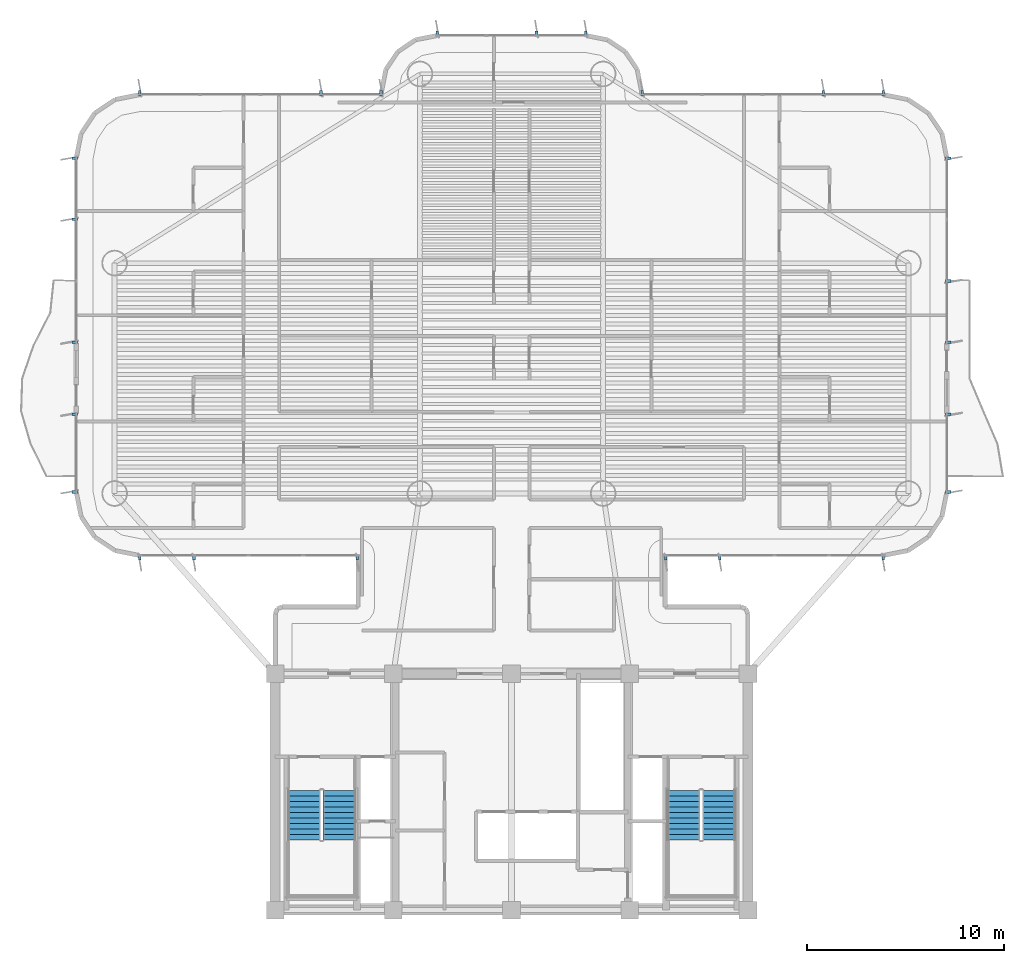
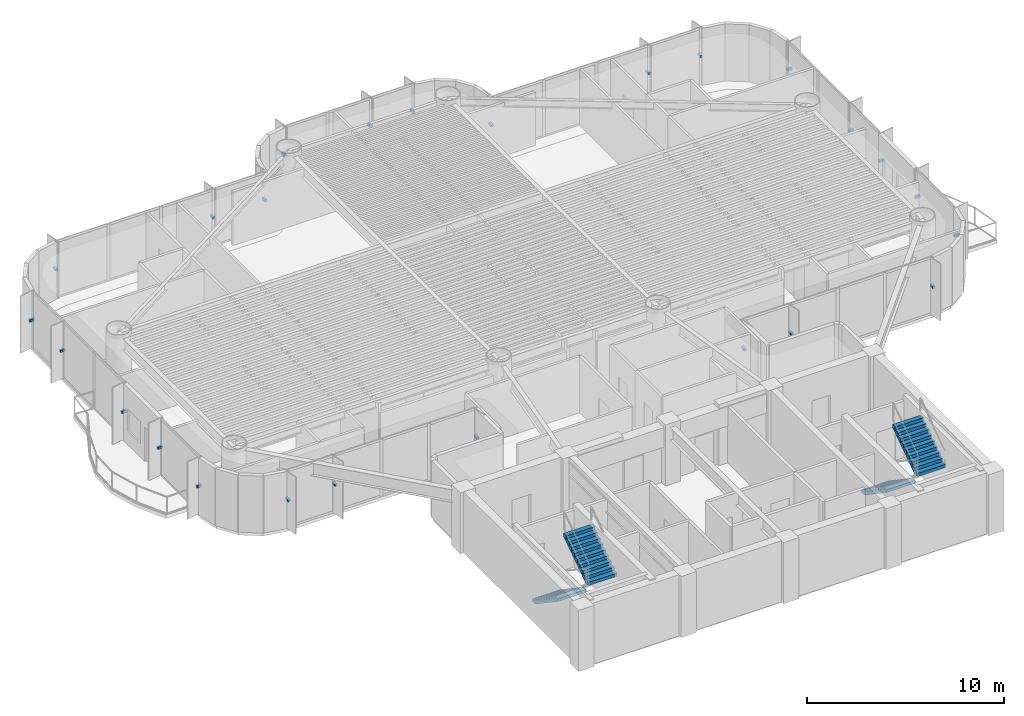
# One storey, part 13 of 17: 25 discrete accessories, 4 stair flights, 2 elements without a shape of their own.
"""IFC4 building model written with IfcOpenShell, lengths in metres."""

from ifc_helpers import new_model, si_unit, direction, frame, origin, origin_2d, place, context, subcontext, project, spatial, polyline, rectangle, outline, extrude, source, transform, mapped, material, type_object, element, aggregate, save


model = new_model("IFC4")

# Units and contexts
model_context = context("Model", 3, precision=1e-05, world=origin(), true_north=direction((0.0, 1.0)))
body_context = subcontext(model_context, "Body", "Model", "MODEL_VIEW")
ifc_project = project(units=[si_unit("LENGTHUNIT", "METRE"), si_unit("AREAUNIT", "SQUARE_METRE"), si_unit("VOLUMEUNIT", "CUBIC_METRE"), si_unit("PLANEANGLEUNIT", "RADIAN"), si_unit("MASSUNIT", "GRAM", prefix="KILO")], contexts=[model_context])

# Site, building, storey
site_placement = place(None, origin())
site = spatial("IfcSite", under=ifc_project, at=site_placement, CompositionType="ELEMENT")
building_placement = place(site_placement, origin())
building = spatial("IfcBuilding", under=site, at=building_placement, Name="Brelvock Crest Care Tower", CompositionType="ELEMENT")
storey_placement = place(building_placement, frame((0.0, 0.0, 131.39990234375)))
storey = spatial("IfcBuildingStorey", under=building, at=storey_placement, Name="L33", CompositionType="ELEMENT", Elevation=131.39990234375)

# Stair, stair flights
ifc_material_1 = material(Name="Concrete N40 (40 MPa)", Category="concrete")
stair_type = type_object("IfcStairType", Name="ST-CORE1", PredefinedType="HALF_TURN_STAIR", material=ifc_material_1)
stair_1_placement = place(storey_placement, origin())
stair_1 = element("IfcStair", 1, at=stair_1_placement, inside=storey, type_object=stair_type, Name="L33 Fire-Isolated Core Stair ST-1", PredefinedType="HALF_TURN_STAIR")
stair_flight_type = type_object("IfcStairFlightType", Name="STF-1", PredefinedType="STRAIGHT", material=ifc_material_1)
stair_flight_1_placement = place(storey_placement, frame((25.469970703125, 12.080078125, 0.0), z_axis=(0.0, 0.0, 1.0), x_axis=(0.0, -1.0, 0.0)))
stair_flight_1 = element("IfcStairFlight", 2, at=stair_flight_1_placement, type_object=stair_flight_type, Name="ST-1 flight 1", NumberOfRisers=10, NumberOfTreads=9, PredefinedType="STRAIGHT", RiserHeight=0.189, TreadLength=0.28, context=body_context, shape_type="SweptSolid", body=[
    extrude(outline(polyline([(-0.00390625, -0.014892578125), (-0.00390625, -0.0078125), (-0.00390625, -0.00048828125), (-0.00390625, 0.0068359375), (-0.00390625, 0.01416015625), (-0.00390625, 0.021484375), (-0.00390625, 0.02880859375), (-0.00390625, 0.035888671875), (-0.00390625, 0.043212890625), (-0.00390625, 0.050537109375), (-0.00390625, 0.057861328125), (-0.00390625, 0.065185546875), (-0.00390625, 0.072509765625), (-0.00390625, 0.07958984375), (-0.00390625, 0.0869140625), (-0.00390625, 0.09423828125), (-0.00390625, 0.1015625), (-0.00390625, 0.10888671875), (-0.00390625, 0.1162109375), (-0.00390625, 0.12353515625), (-0.00390625, 0.130615234375), (-0.00390625, 0.137939453125), (-0.00390625, 0.145263671875), (-0.00390625, 0.152587890625), (-0.00390625, 0.159912109375), (-0.00390625, 0.167236328125), (-0.00390625, 0.17431640625), (-0.00390625, 0.181640625), (-0.00390625, 0.18896484375), (0.0, 0.18896484375), (0.280029296875, 0.18896484375), (0.280029296875, 0.3779296875), (0.56005859375, 0.3779296875), (0.56005859375, 0.56689453125), (0.840087890625, 0.56689453125), (0.840087890625, 0.756103515625), (1.1201171875, 0.756103515625), (1.1201171875, 0.945068359375), (1.39990234375, 0.945068359375), (1.39990234375, 1.134033203125), (1.679931640625, 1.134033203125), (1.679931640625, 1.322998046875), (1.9599609375, 1.322998046875), (1.9599609375, 1.511962890625), (2.239990234375, 1.511962890625), (2.239990234375, 1.700927734375), (2.52001953125, 1.700927734375), (2.52392578125, 1.700927734375), (2.523681640625, 1.70068359375), (2.52392578125, 1.700439453125), (2.523681640625, 1.699951171875), (2.52392578125, 1.69970703125), (2.523681640625, 1.699462890625), (2.52392578125, 1.698974609375), (2.523681640625, 1.69873046875), (2.52392578125, 1.698486328125), (2.523681640625, 1.697998046875), (2.52392578125, 1.69775390625), (2.523681640625, 1.697509765625), (2.52392578125, 1.697021484375), (2.523681640625, 1.69677734375), (2.52392578125, 1.696533203125), (2.523681640625, 1.6962890625), (2.52392578125, 1.69580078125), (2.523681640625, 1.695556640625), (2.52392578125, 1.6953125), (2.523681640625, 1.69482421875), (2.52392578125, 1.694580078125), (2.523681640625, 1.6943359375), (2.52392578125, 1.69384765625), (2.523681640625, 1.693603515625), (2.52392578125, 1.693359375), (2.523681640625, 1.69287109375), (2.52392578125, 1.692626953125), (2.523681640625, 1.6923828125), (2.52392578125, 1.69189453125), (2.52001953125, 1.520263671875), (0.267822265625, 0.0), (0.0, 0.0), (0.0, -0.014892578125), (-0.00390625, -0.014892578125)])), frame((0.0, 0.83984375, 0.0), z_axis=(0.0, -1.0, 0.0), x_axis=(1.0, 0.0, 0.0)), (0.0, 0.0, 1.0), 1.679931640625),
])
stair_flight_2_placement = place(storey_placement, frame((27.27001953125, 9.56005859375, 1.89013671875), z_axis=(0.0, 0.0, 1.0), x_axis=(0.0, 1.0, 0.0)))
stair_flight_2 = element("IfcStairFlight", 3, at=stair_flight_2_placement, type_object=stair_flight_type, Name="ST-1 flight 2", NumberOfRisers=10, NumberOfTreads=9, PredefinedType="STRAIGHT", RiserHeight=0.189, TreadLength=0.28, context=body_context, shape_type="SweptSolid", body=[
    extrude(outline(polyline([(-0.00390625, -0.014892578125), (-0.00390625, -0.0078125), (-0.00390625, -0.00048828125), (-0.00390625, 0.0068359375), (-0.00390625, 0.01416015625), (-0.00390625, 0.021484375), (-0.00390625, 0.02880859375), (-0.00390625, 0.035888671875), (-0.00390625, 0.043212890625), (-0.00390625, 0.050537109375), (-0.00390625, 0.057861328125), (-0.00390625, 0.065185546875), (-0.00390625, 0.072509765625), (-0.00390625, 0.07958984375), (-0.00390625, 0.0869140625), (-0.00390625, 0.09423828125), (-0.00390625, 0.1015625), (-0.00390625, 0.10888671875), (-0.00390625, 0.1162109375), (-0.00390625, 0.12353515625), (-0.00390625, 0.130615234375), (-0.00390625, 0.137939453125), (-0.00390625, 0.145263671875), (-0.00390625, 0.152587890625), (-0.00390625, 0.159912109375), (-0.00390625, 0.167236328125), (-0.00390625, 0.17431640625), (-0.00390625, 0.181640625), (-0.00390625, 0.18896484375), (0.0, 0.18896484375), (0.280029296875, 0.18896484375), (0.280029296875, 0.3779296875), (0.56005859375, 0.3779296875), (0.56005859375, 0.56689453125), (0.840087890625, 0.56689453125), (0.840087890625, 0.756103515625), (1.1201171875, 0.756103515625), (1.1201171875, 0.945068359375), (1.39990234375, 0.945068359375), (1.39990234375, 1.134033203125), (1.679931640625, 1.134033203125), (1.679931640625, 1.322998046875), (1.9599609375, 1.322998046875), (1.9599609375, 1.511962890625), (2.239990234375, 1.511962890625), (2.239990234375, 1.700927734375), (2.52001953125, 1.700927734375), (2.52392578125, 1.700927734375), (2.523681640625, 1.70068359375), (2.52392578125, 1.700439453125), (2.523681640625, 1.699951171875), (2.52392578125, 1.69970703125), (2.523681640625, 1.699462890625), (2.52392578125, 1.698974609375), (2.523681640625, 1.69873046875), (2.52392578125, 1.698486328125), (2.523681640625, 1.697998046875), (2.52392578125, 1.69775390625), (2.523681640625, 1.697509765625), (2.52392578125, 1.697021484375), (2.523681640625, 1.69677734375), (2.52392578125, 1.696533203125), (2.523681640625, 1.6962890625), (2.52392578125, 1.69580078125), (2.523681640625, 1.695556640625), (2.52392578125, 1.6953125), (2.523681640625, 1.69482421875), (2.52392578125, 1.694580078125), (2.523681640625, 1.6943359375), (2.52392578125, 1.69384765625), (2.523681640625, 1.693603515625), (2.52392578125, 1.693359375), (2.523681640625, 1.69287109375), (2.52392578125, 1.692626953125), (2.523681640625, 1.6923828125), (2.52392578125, 1.69189453125), (2.52001953125, 1.520263671875), (0.267822265625, 0.0), (0.0, 0.0), (0.0, -0.014892578125), (-0.00390625, -0.014892578125)])), frame((0.0, 0.83984375, 0.0), z_axis=(0.0, -1.0, 0.0), x_axis=(1.0, 0.0, 0.0)), (0.0, 0.0, 1.0), 1.679931640625),
])
aggregate(stair_1, [stair_flight_1, stair_flight_2])

stair_2_placement = place(storey_placement, origin())
stair_2 = element("IfcStair", 4, at=stair_2_placement, inside=storey, type_object=stair_type, Name="L33 Fire-Isolated Core Stair ST-2", PredefinedType="HALF_TURN_STAIR")
stair_flight_3_placement = place(storey_placement, frame((44.72998046875, 12.080078125, 0.0), z_axis=(0.0, 0.0, 1.0), x_axis=(0.0, -1.0, 0.0)))
stair_flight_3 = element("IfcStairFlight", 5, at=stair_flight_3_placement, type_object=stair_flight_type, Name="ST-2 flight 1", NumberOfRisers=10, NumberOfTreads=9, PredefinedType="STRAIGHT", RiserHeight=0.189, TreadLength=0.28, context=body_context, shape_type="SweptSolid", body=[
    extrude(outline(polyline([(-0.00390625, -0.014892578125), (-0.00390625, -0.0078125), (-0.00390625, -0.00048828125), (-0.00390625, 0.0068359375), (-0.00390625, 0.01416015625), (-0.00390625, 0.021484375), (-0.00390625, 0.02880859375), (-0.00390625, 0.035888671875), (-0.00390625, 0.043212890625), (-0.00390625, 0.050537109375), (-0.00390625, 0.057861328125), (-0.00390625, 0.065185546875), (-0.00390625, 0.072509765625), (-0.00390625, 0.07958984375), (-0.00390625, 0.0869140625), (-0.00390625, 0.09423828125), (-0.00390625, 0.1015625), (-0.00390625, 0.10888671875), (-0.00390625, 0.1162109375), (-0.00390625, 0.12353515625), (-0.00390625, 0.130615234375), (-0.00390625, 0.137939453125), (-0.00390625, 0.145263671875), (-0.00390625, 0.152587890625), (-0.00390625, 0.159912109375), (-0.00390625, 0.167236328125), (-0.00390625, 0.17431640625), (-0.00390625, 0.181640625), (-0.00390625, 0.18896484375), (0.0, 0.18896484375), (0.280029296875, 0.18896484375), (0.280029296875, 0.3779296875), (0.56005859375, 0.3779296875), (0.56005859375, 0.56689453125), (0.840087890625, 0.56689453125), (0.840087890625, 0.756103515625), (1.1201171875, 0.756103515625), (1.1201171875, 0.945068359375), (1.39990234375, 0.945068359375), (1.39990234375, 1.134033203125), (1.679931640625, 1.134033203125), (1.679931640625, 1.322998046875), (1.9599609375, 1.322998046875), (1.9599609375, 1.511962890625), (2.239990234375, 1.511962890625), (2.239990234375, 1.700927734375), (2.52001953125, 1.700927734375), (2.52392578125, 1.700927734375), (2.523681640625, 1.70068359375), (2.52392578125, 1.700439453125), (2.523681640625, 1.699951171875), (2.52392578125, 1.69970703125), (2.523681640625, 1.699462890625), (2.52392578125, 1.698974609375), (2.523681640625, 1.69873046875), (2.52392578125, 1.698486328125), (2.523681640625, 1.697998046875), (2.52392578125, 1.69775390625), (2.523681640625, 1.697509765625), (2.52392578125, 1.697021484375), (2.523681640625, 1.69677734375), (2.52392578125, 1.696533203125), (2.523681640625, 1.6962890625), (2.52392578125, 1.69580078125), (2.523681640625, 1.695556640625), (2.52392578125, 1.6953125), (2.523681640625, 1.69482421875), (2.52392578125, 1.694580078125), (2.523681640625, 1.6943359375), (2.52392578125, 1.69384765625), (2.523681640625, 1.693603515625), (2.52392578125, 1.693359375), (2.523681640625, 1.69287109375), (2.52392578125, 1.692626953125), (2.523681640625, 1.6923828125), (2.52392578125, 1.69189453125), (2.52001953125, 1.520263671875), (0.267822265625, 0.0), (0.0, 0.0), (0.0, -0.014892578125), (-0.00390625, -0.014892578125)])), frame((0.0, 0.83984375, 0.0), z_axis=(0.0, -1.0, 0.0), x_axis=(1.0, 0.0, 0.0)), (0.0, 0.0, 1.0), 1.679931640625),
])
stair_flight_4_placement = place(storey_placement, frame((46.530029296875, 9.56005859375, 1.89013671875), z_axis=(0.0, 0.0, 1.0), x_axis=(0.0, 1.0, 0.0)))
stair_flight_4 = element("IfcStairFlight", 6, at=stair_flight_4_placement, type_object=stair_flight_type, Name="ST-2 flight 2", NumberOfRisers=10, NumberOfTreads=9, PredefinedType="STRAIGHT", RiserHeight=0.189, TreadLength=0.28, context=body_context, shape_type="SweptSolid", body=[
    extrude(outline(polyline([(-0.00390625, -0.014892578125), (-0.00390625, -0.0078125), (-0.00390625, -0.00048828125), (-0.00390625, 0.0068359375), (-0.00390625, 0.01416015625), (-0.00390625, 0.021484375), (-0.00390625, 0.02880859375), (-0.00390625, 0.035888671875), (-0.00390625, 0.043212890625), (-0.00390625, 0.050537109375), (-0.00390625, 0.057861328125), (-0.00390625, 0.065185546875), (-0.00390625, 0.072509765625), (-0.00390625, 0.07958984375), (-0.00390625, 0.0869140625), (-0.00390625, 0.09423828125), (-0.00390625, 0.1015625), (-0.00390625, 0.10888671875), (-0.00390625, 0.1162109375), (-0.00390625, 0.12353515625), (-0.00390625, 0.130615234375), (-0.00390625, 0.137939453125), (-0.00390625, 0.145263671875), (-0.00390625, 0.152587890625), (-0.00390625, 0.159912109375), (-0.00390625, 0.167236328125), (-0.00390625, 0.17431640625), (-0.00390625, 0.181640625), (-0.00390625, 0.18896484375), (0.0, 0.18896484375), (0.280029296875, 0.18896484375), (0.280029296875, 0.3779296875), (0.56005859375, 0.3779296875), (0.56005859375, 0.56689453125), (0.840087890625, 0.56689453125), (0.840087890625, 0.756103515625), (1.1201171875, 0.756103515625), (1.1201171875, 0.945068359375), (1.39990234375, 0.945068359375), (1.39990234375, 1.134033203125), (1.679931640625, 1.134033203125), (1.679931640625, 1.322998046875), (1.9599609375, 1.322998046875), (1.9599609375, 1.511962890625), (2.239990234375, 1.511962890625), (2.239990234375, 1.700927734375), (2.52001953125, 1.700927734375), (2.52392578125, 1.700927734375), (2.523681640625, 1.70068359375), (2.52392578125, 1.700439453125), (2.523681640625, 1.699951171875), (2.52392578125, 1.69970703125), (2.523681640625, 1.699462890625), (2.52392578125, 1.698974609375), (2.523681640625, 1.69873046875), (2.52392578125, 1.698486328125), (2.523681640625, 1.697998046875), (2.52392578125, 1.69775390625), (2.523681640625, 1.697509765625), (2.52392578125, 1.697021484375), (2.523681640625, 1.69677734375), (2.52392578125, 1.696533203125), (2.523681640625, 1.6962890625), (2.52392578125, 1.69580078125), (2.523681640625, 1.695556640625), (2.52392578125, 1.6953125), (2.523681640625, 1.69482421875), (2.52392578125, 1.694580078125), (2.523681640625, 1.6943359375), (2.52392578125, 1.69384765625), (2.523681640625, 1.693603515625), (2.52392578125, 1.693359375), (2.523681640625, 1.69287109375), (2.52392578125, 1.692626953125), (2.523681640625, 1.6923828125), (2.52392578125, 1.69189453125), (2.52001953125, 1.520263671875), (0.267822265625, 0.0), (0.0, 0.0), (0.0, -0.014892578125), (-0.00390625, -0.014892578125)])), frame((0.0, 0.83984375, 0.0), z_axis=(0.0, -1.0, 0.0), x_axis=(1.0, 0.0, 0.0)), (0.0, 0.0, 1.0), 1.679931640625),
])
aggregate(stair_2, [stair_flight_3, stair_flight_4])

# Discrete accessories
ifc_material_2 = material(Name="Steel Grade 350", Category="steel")
discrete_accessory_type = type_object("IfcDiscreteAccessoryType", Name="ACC-BRK1", PredefinedType="BRACKET", material=ifc_material_2)
shared_shape = source(origin(), body_context, "Body", "SweptSolid", [
    extrude(rectangle(XDim=0.280029296875, YDim=0.139892578125, at=origin_2d()), origin(), (0.0, 0.0, 1.0), 0.139892578125),
])
for number, where, z_axis, x_axis, name in (
    (7, (28.169921875, 23.919921875, 1.6953125), (0.0, 0.0, 1.0), (0.0, -1.0, 0.0), "L33 Facade Fin Bracket E12-01"),
    (8, (19.875, 23.919921875, 1.6953125), (0.0, 0.0, 1.0), (0.0, -1.0, 0.0), "L33 Facade Fin Bracket E12-04"),
    (9, (17.1298828125, 23.919921875, 1.6953125), (0.0, 0.0, 1.0), (0.0, -1.0, 0.0), "L33 Facade Fin Bracket E12-05"),
    (10, (13.820068359375, 27.22998046875, 1.6953125), (0.0, 0.0, 1.0), (-1.0, 0.0, 0.0), "L33 Facade Fin Bracket E17A-01"),
    (11, (13.820068359375, 31.169921875, 1.6953125), (0.0, 0.0, 1.0), (-1.0, 0.0, 0.0), "L33 Facade Fin Bracket E17A-02"),
    (12, (13.820068359375, 34.830078125, 1.6953125), (0.0, 0.0, 1.0), (-1.0, 0.0, 0.0), "L33 Facade Fin Bracket E17B-01"),
    (13, (13.820068359375, 41.066650390625, 1.6953125), (0.0, 0.0, 1.0), (-1.0, 0.0, 0.0), "L33 Facade Fin Bracket E17B-03"),
    (14, (13.820068359375, 44.169921875, 1.6953125), (0.0, 0.0, 1.0), (-1.0, 0.0, 0.0), "L33 Facade Fin Bracket E17B-04"),
    (15, (17.1298828125, 47.47998046875, 1.6953125), (0.0, 0.0, 1.0), (0.0, 1.0, 0.0), "L33 Facade Fin Bracket E22-01"),
    (16, (26.324951171875, 47.47998046875, 1.6953125), (0.0, 0.0, 1.0), (0.0, 1.0, 0.0), "L33 Facade Fin Bracket E22-04"),
    (17, (29.3701171875, 47.47998046875, 1.6953125), (0.0, 0.0, 1.0), (0.0, 1.0, 0.0), "L33 Facade Fin Bracket E22-05"),
    (18, (32.22998046875, 50.47998046875, 1.6953125), (0.0, 0.0, 1.0), (0.0, 1.0, 0.0), "L33 Facade Fin Bracket E28-01"),
    (19, (37.2666015625, 50.47998046875, 1.6953125), (0.0, 0.0, 1.0), (0.0, 1.0, 0.0), "L33 Facade Fin Bracket E28-03"),
    (20, (39.77001953125, 50.47998046875, 1.6953125), (0.0, 0.0, 1.0), (0.0, 1.0, 0.0), "L33 Facade Fin Bracket E28-04"),
    (21, (42.6298828125, 47.47998046875, 1.6953125), (0.0, 0.0, 1.0), (0.0, 1.0, 0.0), "L33 Facade Fin Bracket E34-01"),
    (22, (51.824951171875, 47.47998046875, 1.6953125), (0.0, 0.0, 1.0), (0.0, 1.0, 0.0), "L33 Facade Fin Bracket E34-04"),
    (23, (54.8701171875, 47.47998046875, 1.6953125), (0.0, 0.0, 1.0), (0.0, 1.0, 0.0), "L33 Facade Fin Bracket E34-05"),
    (24, (58.179931640625, 44.169921875, 1.6953125), (0.0, 0.0, 1.0), (1.0, 0.0, 0.0), "L33 Facade Fin Bracket E39A-01"),
    (25, (58.179931640625, 37.933349609375, 1.6953125), (0.0, 0.0, 1.0), (1.0, 0.0, 0.0), "L33 Facade Fin Bracket E39A-03"),
    (26, (58.179931640625, 34.830078125, 1.6953125), (0.0, 0.0, 1.0), (1.0, 0.0, 0.0), "L33 Facade Fin Bracket E39A-04"),
    (27, (58.179931640625, 31.169921875, 1.6953125), (0.0, 0.0, 1.0), (1.0, 0.0, 0.0), "L33 Facade Fin Bracket E39B-01"),
    (28, (58.179931640625, 27.22998046875, 1.6953125), (0.0, 0.0, 1.0), (1.0, 0.0, 0.0), "L33 Facade Fin Bracket E39B-02"),
    (29, (54.8701171875, 23.919921875, 1.6953125), (0.0, 0.0, 1.0), (0.0, -1.0, 0.0), "L33 Facade Fin Bracket E44-01"),
    (30, (46.574951171875, 23.919921875, 1.6953125), (0.0, 0.0, 1.0), (0.0, -1.0, 0.0), "L33 Facade Fin Bracket E44-04"),
    (31, (43.830078125, 23.919921875, 1.6953125), (0.0, 0.0, 1.0), (0.0, -1.0, 0.0), "L33 Facade Fin Bracket E44-05"),
):
    element("IfcDiscreteAccessory", number, at=place(storey_placement, frame(where, z_axis=z_axis, x_axis=x_axis)), inside=storey, type_object=discrete_accessory_type, Name=name, PredefinedType="BRACKET", context=body_context, shape_type="MappedRepresentation", body=[
        mapped(shared_shape, transform((0.0, 0.0, 0.0), x_axis=(1.0, 0.0, 0.0), y_axis=(0.0, 1.0, 0.0), z_axis=(0.0, 0.0, 1.0), scale=1.0)),
    ])

save(model, "model.ifc")
